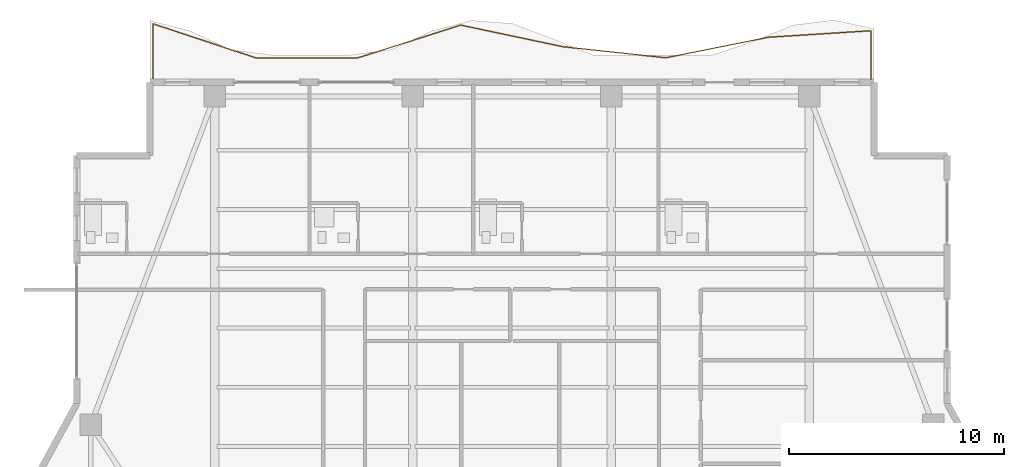
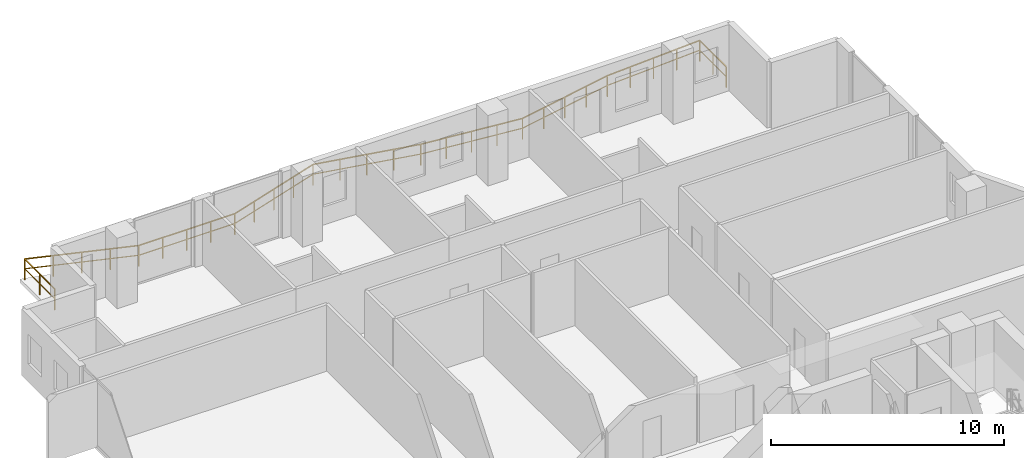
# One storey, part 23 of 24: 1 railing.
"""IFC4 building model written with IfcOpenShell, lengths in metres."""

from ifc_helpers import new_model, si_unit, direction, frame, origin, origin_2d, place, context, subcontext, project, spatial, rectangle, extrude, material, type_object, element, save


model = new_model("IFC4")

# Units and contexts
model_context = context("Model", 3, precision=1e-05, world=origin(), true_north=direction((0.0, 1.0)))
body_context = subcontext(model_context, "Body", "Model", "MODEL_VIEW")
ifc_project = project(units=[si_unit("LENGTHUNIT", "METRE"), si_unit("AREAUNIT", "SQUARE_METRE"), si_unit("VOLUMEUNIT", "CUBIC_METRE"), si_unit("PLANEANGLEUNIT", "RADIAN"), si_unit("MASSUNIT", "GRAM", prefix="KILO")], contexts=[model_context])

# Site, building, storey
site_placement = place(None, origin())
site = spatial("IfcSite", under=ifc_project, at=site_placement, CompositionType="ELEMENT")
building_placement = place(site_placement, origin())
building = spatial("IfcBuilding", under=site, at=building_placement, Name="Zuhayl Quay Hotel", CompositionType="ELEMENT")
storey_placement = place(building_placement, frame((0.0, 0.0, 280.35009765625)))
storey = spatial("IfcBuildingStorey", under=building, at=storey_placement, Name="L71", CompositionType="ELEMENT", Elevation=280.35009765625)

# Railing
ifc_material = material(Name="Anodised Aluminium and Laminated Glass", Category="aluminium")
railing_type = type_object("IfcRailingType", Name="RL_EXT_BAL_1100", PredefinedType="BALUSTRADE", material=ifc_material)
railing_placement = place(storey_placement, frame((-16.659912109375, 39.1201171875, 0.0)))
element("IfcRailing", 1, at=railing_placement, inside=storey, type_object=railing_type, Name="L71 Balcony and Terrace Guard GR_L71_BAL_N", PredefinedType="BALUSTRADE", context=body_context, shape_type="SweptSolid", body=[
    extrude(rectangle(XDim=0.048095703125, YDim=0.048095703125, at=origin_2d()), frame((0.0, 0.0, 1.09619140625), z_axis=(0.0, 1.0, 0.0), x_axis=(-1.0, 0.0, 0.0)), (0.0, 0.0, 1.0), 2.596435546875),
    extrude(rectangle(XDim=0.0361328125, YDim=0.0361328125, at=origin_2d()), frame((0.0, 0.0, 0.58251953125), z_axis=(0.0, 1.0, 0.0), x_axis=(-1.0, 0.0, 0.0)), (0.0, 0.0, 1.0), 2.596435546875),
    extrude(rectangle(XDim=0.048095703125, YDim=0.048095703125, at=origin_2d()), frame((0.0, 2.596435546875, 1.09619140625), z_axis=(0.949280465893, -0.314430591821, 0.0), x_axis=(0.314430591821, 0.949280465893, 0.0)), (0.0, 0.0, 1.0), 5.014404296875),
    extrude(rectangle(XDim=0.0361328125, YDim=0.0361328125, at=origin_2d()), frame((0.0, 2.596435546875, 0.58251953125), z_axis=(0.949280465893, -0.314430591821, 0.0), x_axis=(0.314430591821, 0.949280465893, 0.0)), (0.0, 0.0, 1.0), 5.014404296875),
    extrude(rectangle(XDim=0.048095703125, YDim=0.048095703125, at=origin_2d()), frame((4.760009765625, 1.019775390625, 1.09619140625), z_axis=(1.0, 0.0, 0.0), x_axis=(0.0, 1.0, 0.0)), (0.0, 0.0, 1.0), 4.760009765625),
    extrude(rectangle(XDim=0.0361328125, YDim=0.0361328125, at=origin_2d()), frame((4.760009765625, 1.019775390625, 0.58251953125), z_axis=(1.0, 0.0, 0.0), x_axis=(0.0, 1.0, 0.0)), (0.0, 0.0, 1.0), 4.760009765625),
    extrude(rectangle(XDim=0.048095703125, YDim=0.048095703125, at=origin_2d()), frame((9.52001953125, 1.019775390625, 1.09619140625), z_axis=(0.952835239362, 0.3034880667, 0.0), x_axis=(-0.3034880667, 0.952835239362, 0.0)), (0.0, 0.0, 1.0), 4.99560546875),
    extrude(rectangle(XDim=0.0361328125, YDim=0.0361328125, at=origin_2d()), frame((9.52001953125, 1.019775390625, 0.58251953125), z_axis=(0.952835239362, 0.3034880667, 0.0), x_axis=(-0.3034880667, 0.952835239362, 0.0)), (0.0, 0.0, 1.0), 4.99560546875),
    extrude(rectangle(XDim=0.048095703125, YDim=0.048095703125, at=origin_2d()), frame((14.280029296875, 2.535888671875, 1.09619140625), z_axis=(0.97840204159, -0.206711018122, 0.0), x_axis=(0.206711018122, 0.97840204159, 0.0)), (0.0, 0.0, 1.0), 4.86474609375),
    extrude(rectangle(XDim=0.0361328125, YDim=0.0361328125, at=origin_2d()), frame((14.280029296875, 2.535888671875, 0.58251953125), z_axis=(0.97840204159, -0.206711018122, 0.0), x_axis=(0.206711018122, 0.97840204159, 0.0)), (0.0, 0.0, 1.0), 4.86474609375),
    extrude(rectangle(XDim=0.048095703125, YDim=0.048095703125, at=origin_2d()), frame((19.039794921875, 1.5302734375, 1.09619140625), z_axis=(0.994298151685, -0.106635761152, 0.0), x_axis=(0.106635761152, 0.994298151685, 0.0)), (0.0, 0.0, 1.0), 4.787353515625),
    extrude(rectangle(XDim=0.0361328125, YDim=0.0361328125, at=origin_2d()), frame((19.039794921875, 1.5302734375, 0.58251953125), z_axis=(0.994298151685, -0.106635761152, 0.0), x_axis=(0.106635761152, 0.994298151685, 0.0)), (0.0, 0.0, 1.0), 4.787353515625),
    extrude(rectangle(XDim=0.048095703125, YDim=0.048095703125, at=origin_2d()), frame((23.7998046875, 1.019775390625, 1.09619140625), z_axis=(0.980574872151, 0.196145150607, 0.0), x_axis=(-0.196145150607, 0.980574872151, 0.0)), (0.0, 0.0, 1.0), 4.854248046875),
    extrude(rectangle(XDim=0.0361328125, YDim=0.0361328125, at=origin_2d()), frame((23.7998046875, 1.019775390625, 0.58251953125), z_axis=(0.980574872151, 0.196145150607, 0.0), x_axis=(-0.196145150607, 0.980574872151, 0.0)), (0.0, 0.0, 1.0), 4.854248046875),
    extrude(rectangle(XDim=0.048095703125, YDim=0.048095703125, at=origin_2d()), frame((28.559814453125, 1.971923828125, 1.09619140625), z_axis=(0.997964164421, 0.063777163095, 0.0), x_axis=(-0.063777163095, 0.997964164421, 0.0)), (0.0, 0.0, 1.0), 4.769775390625),
    extrude(rectangle(XDim=0.0361328125, YDim=0.0361328125, at=origin_2d()), frame((28.559814453125, 1.971923828125, 0.58251953125), z_axis=(0.997964164421, 0.063777163095, 0.0), x_axis=(-0.063777163095, 0.997964164421, 0.0)), (0.0, 0.0, 1.0), 4.769775390625),
    extrude(rectangle(XDim=0.048095703125, YDim=0.048095703125, at=origin_2d()), frame((33.31982421875, 2.276123046875, 1.09619140625), z_axis=(0.0, -1.0, 0.0), x_axis=(1.0, 0.0, 0.0)), (0.0, 0.0, 1.0), 2.276123046875),
    extrude(rectangle(XDim=0.0361328125, YDim=0.0361328125, at=origin_2d()), frame((33.31982421875, 2.276123046875, 0.58251953125), z_axis=(0.0, -1.0, 0.0), x_axis=(1.0, 0.0, 0.0)), (0.0, 0.0, 1.0), 2.276123046875),
    extrude(rectangle(XDim=0.0419921875, YDim=0.0419921875, at=origin_2d()), origin(), (0.0, 0.0, 1.0), 1.072021484375),
    extrude(rectangle(XDim=0.0419921875, YDim=0.0419921875, at=origin_2d()), frame((0.0, 1.29833984375, 0.0)), (0.0, 0.0, 1.0), 1.072021484375),
    extrude(rectangle(XDim=0.0419921875, YDim=0.0419921875, at=origin_2d()), frame((0.0, 2.596435546875, 0.0)), (0.0, 0.0, 1.0), 1.072021484375),
    extrude(rectangle(XDim=0.0419921875, YDim=0.0419921875, at=origin_2d()), frame((1.18994140625, 2.2021484375, 0.0)), (0.0, 0.0, 1.0), 1.072021484375),
    extrude(rectangle(XDim=0.0419921875, YDim=0.0419921875, at=origin_2d()), frame((2.3798828125, 1.80810546875, 0.0)), (0.0, 0.0, 1.0), 1.072021484375),
    extrude(rectangle(XDim=0.0419921875, YDim=0.0419921875, at=origin_2d()), frame((3.570068359375, 1.4140625, 0.0)), (0.0, 0.0, 1.0), 1.072021484375),
    extrude(rectangle(XDim=0.0419921875, YDim=0.0419921875, at=origin_2d()), frame((4.760009765625, 1.019775390625, 0.0)), (0.0, 0.0, 1.0), 1.072021484375),
    extrude(rectangle(XDim=0.0419921875, YDim=0.0419921875, at=origin_2d()), frame((5.949951171875, 1.019775390625, 0.0)), (0.0, 0.0, 1.0), 1.072021484375),
    extrude(rectangle(XDim=0.0419921875, YDim=0.0419921875, at=origin_2d()), frame((7.14013671875, 1.019775390625, 0.0)), (0.0, 0.0, 1.0), 1.072021484375),
    extrude(rectangle(XDim=0.0419921875, YDim=0.0419921875, at=origin_2d()), frame((8.330078125, 1.019775390625, 0.0)), (0.0, 0.0, 1.0), 1.072021484375),
    extrude(rectangle(XDim=0.0419921875, YDim=0.0419921875, at=origin_2d()), frame((9.52001953125, 1.019775390625, 0.0)), (0.0, 0.0, 1.0), 1.072021484375),
    extrude(rectangle(XDim=0.0419921875, YDim=0.0419921875, at=origin_2d()), frame((10.7099609375, 1.39892578125, 0.0)), (0.0, 0.0, 1.0), 1.072021484375),
    extrude(rectangle(XDim=0.0419921875, YDim=0.0419921875, at=origin_2d()), frame((11.89990234375, 1.77783203125, 0.0)), (0.0, 0.0, 1.0), 1.072021484375),
    extrude(rectangle(XDim=0.0419921875, YDim=0.0419921875, at=origin_2d()), frame((13.090087890625, 2.15673828125, 0.0)), (0.0, 0.0, 1.0), 1.072021484375),
    extrude(rectangle(XDim=0.0419921875, YDim=0.0419921875, at=origin_2d()), frame((14.280029296875, 2.535888671875, 0.0)), (0.0, 0.0, 1.0), 1.072021484375),
    extrude(rectangle(XDim=0.0419921875, YDim=0.0419921875, at=origin_2d()), frame((15.469970703125, 2.284423828125, 0.0)), (0.0, 0.0, 1.0), 1.072021484375),
    extrude(rectangle(XDim=0.0419921875, YDim=0.0419921875, at=origin_2d()), frame((16.659912109375, 2.033203125, 0.0)), (0.0, 0.0, 1.0), 1.072021484375),
    extrude(rectangle(XDim=0.0419921875, YDim=0.0419921875, at=origin_2d()), frame((17.849853515625, 1.78173828125, 0.0)), (0.0, 0.0, 1.0), 1.072021484375),
    extrude(rectangle(XDim=0.0419921875, YDim=0.0419921875, at=origin_2d()), frame((19.039794921875, 1.5302734375, 0.0)), (0.0, 0.0, 1.0), 1.072021484375),
    extrude(rectangle(XDim=0.0419921875, YDim=0.0419921875, at=origin_2d()), frame((20.229736328125, 1.402587890625, 0.0)), (0.0, 0.0, 1.0), 1.072021484375),
    extrude(rectangle(XDim=0.0419921875, YDim=0.0419921875, at=origin_2d()), frame((21.419921875, 1.27490234375, 0.0)), (0.0, 0.0, 1.0), 1.072021484375),
    extrude(rectangle(XDim=0.0419921875, YDim=0.0419921875, at=origin_2d()), frame((22.60986328125, 1.1474609375, 0.0)), (0.0, 0.0, 1.0), 1.072021484375),
    extrude(rectangle(XDim=0.0419921875, YDim=0.0419921875, at=origin_2d()), frame((23.7998046875, 1.019775390625, 0.0)), (0.0, 0.0, 1.0), 1.072021484375),
    extrude(rectangle(XDim=0.0419921875, YDim=0.0419921875, at=origin_2d()), frame((24.98974609375, 1.2578125, 0.0)), (0.0, 0.0, 1.0), 1.072021484375),
    extrude(rectangle(XDim=0.0419921875, YDim=0.0419921875, at=origin_2d()), frame((26.1796875, 1.495849609375, 0.0)), (0.0, 0.0, 1.0), 1.072021484375),
    extrude(rectangle(XDim=0.0419921875, YDim=0.0419921875, at=origin_2d()), frame((27.369873046875, 1.73388671875, 0.0)), (0.0, 0.0, 1.0), 1.072021484375),
    extrude(rectangle(XDim=0.0419921875, YDim=0.0419921875, at=origin_2d()), frame((28.559814453125, 1.971923828125, 0.0)), (0.0, 0.0, 1.0), 1.072021484375),
    extrude(rectangle(XDim=0.0419921875, YDim=0.0419921875, at=origin_2d()), frame((29.749755859375, 2.0478515625, 0.0)), (0.0, 0.0, 1.0), 1.072021484375),
    extrude(rectangle(XDim=0.0419921875, YDim=0.0419921875, at=origin_2d()), frame((30.93994140625, 2.1240234375, 0.0)), (0.0, 0.0, 1.0), 1.072021484375),
    extrude(rectangle(XDim=0.0419921875, YDim=0.0419921875, at=origin_2d()), frame((32.1298828125, 2.2001953125, 0.0)), (0.0, 0.0, 1.0), 1.072021484375),
    extrude(rectangle(XDim=0.0419921875, YDim=0.0419921875, at=origin_2d()), frame((33.31982421875, 2.276123046875, 0.0)), (0.0, 0.0, 1.0), 1.072021484375),
    extrude(rectangle(XDim=0.0419921875, YDim=0.0419921875, at=origin_2d()), frame((33.31982421875, 1.13818359375, 0.0)), (0.0, 0.0, 1.0), 1.072021484375),
    extrude(rectangle(XDim=0.0419921875, YDim=0.0419921875, at=origin_2d()), frame((33.31982421875, 0.0, 0.0)), (0.0, 0.0, 1.0), 1.072021484375),
])

save(model, "model.ifc")
